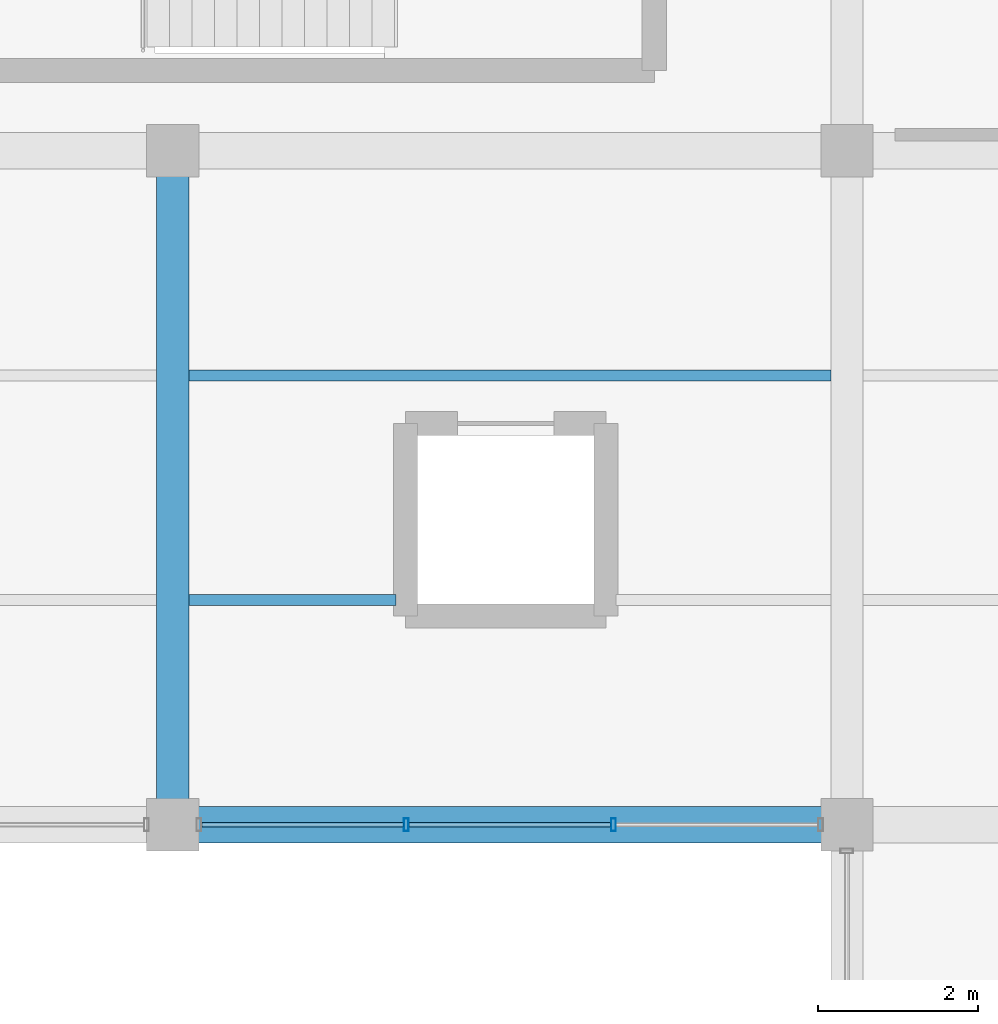
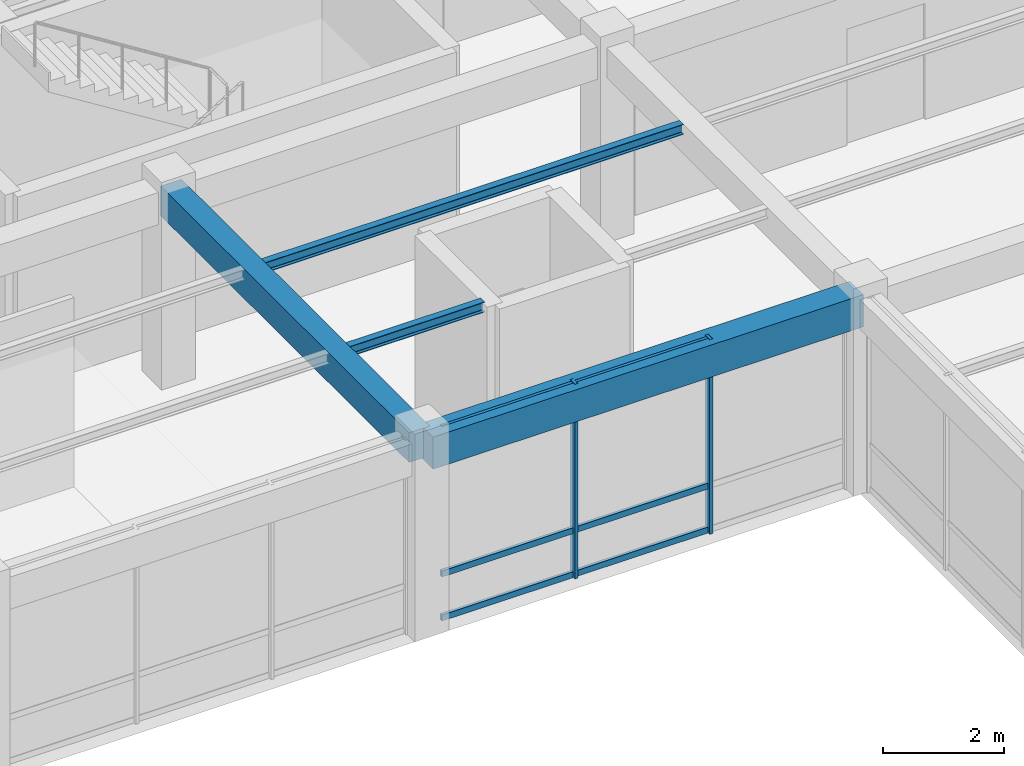
# One storey, part 21 of 138: 8 members, 4 beams, 1 element without a shape of its own.
"""IFC4 building model written with IfcOpenShell, lengths in metres."""

from ifc_helpers import new_model, si_unit, direction, frame, origin, origin_2d, place, context, subcontext, project, spatial, rectangle, hollow_rectangle, i_section, extrude, material, material_profile, profile_set, type_object, element, aggregate, save


model = new_model("IFC4")

# Units and contexts
model_context = context("Model", 3, precision=1e-05, world=origin(), true_north=direction((0.0, 1.0)))
body_context = subcontext(model_context, "Body", "Model", "MODEL_VIEW")
ifc_project = project(units=[si_unit("LENGTHUNIT", "METRE"), si_unit("AREAUNIT", "SQUARE_METRE"), si_unit("VOLUMEUNIT", "CUBIC_METRE"), si_unit("PLANEANGLEUNIT", "RADIAN"), si_unit("MASSUNIT", "GRAM", prefix="KILO"), si_unit("THERMODYNAMICTEMPERATUREUNIT", "KELVIN"), si_unit("POWERUNIT", "WATT")], contexts=[model_context])

# Site, building, storey
site_placement = place(None, origin())
site = spatial("IfcSite", under=ifc_project, at=site_placement, CompositionType="ELEMENT")
building_placement = place(site_placement, origin())
building = spatial("IfcBuilding", under=site, at=building_placement, Name="Darbajah Civic Hall", CompositionType="ELEMENT")
storey_placement = place(building_placement, frame((0.0, 0.0, 9.60009765625)))
storey = spatial("IfcBuildingStorey", under=building, at=storey_placement, Name="L02", CompositionType="ELEMENT", Elevation=9.60009765625)

# Curtain wall, members
ifc_material_1 = material(Name="Anodised Bronze Aluminium and Low-E Glazing", Category="aluminium")
curtain_wall_type = type_object("IfcCurtainWallType", Name="Unitised Curtain Wall CW-99 7700x3950", PredefinedType="USERDEFINED", material=ifc_material_1)
curtain_wall_placement = place(storey_placement, origin())
curtain_wall = element("IfcCurtainWall", 1, at=curtain_wall_placement, inside=storey, type_object=curtain_wall_type, Name="L02 unitised curtain wall CW-V5-L02-S2-B3", ObjectType="UNITISED CURTAIN WALL", PredefinedType="USERDEFINED")
ifc_material_2 = material(Name="Anodised Bronze Aluminium", Category="aluminium")
ifc_material_profile_1 = material_profile(ifc_material_2, hollow_rectangle(XDim=0.06005859375, YDim=0.159912109375, WallThickness=0.00341796875, at=origin_2d()), Name="ALU MULLION 60x160")
ifc_profile_set_1 = profile_set([ifc_material_profile_1], Name="Anodised Bronze Aluminium")
member_type_1 = type_object("IfcMemberType", Name="ALU MULLION 60x160", PredefinedType="MULLION", material=ifc_profile_set_1)
member_1_placement = place(storey_placement, frame((44.908935546875, 16.800048828125, 0.0), z_axis=(0.0, 0.0, 1.0), x_axis=(1.0, 0.0, 0.0)))
member_1 = element("IfcMember", 2, at=member_1_placement, type_object=member_type_1, Name="CW-V5-L02-S2-B3 mullion 2", PredefinedType="MULLION", context=body_context, shape_type="SweptSolid", body=[
    extrude(hollow_rectangle(XDim=0.06005859375, YDim=0.159912109375, WallThickness=0.00341796875, at=origin_2d()), origin(), (0.0, 0.0, 1.0), 3.93994140625),
])
member_2_placement = place(storey_placement, frame((47.490966796875, 16.800048828125, 0.0), z_axis=(0.0, 0.0, 1.0), x_axis=(1.0, 0.0, 0.0)))
member_2 = element("IfcMember", 3, at=member_2_placement, type_object=member_type_1, Name="CW-V5-L02-S2-B3 mullion 3", PredefinedType="MULLION", context=body_context, shape_type="SweptSolid", body=[
    extrude(hollow_rectangle(XDim=0.06005859375, YDim=0.159912109375, WallThickness=0.00341796875, at=origin_2d()), origin(), (0.0, 0.0, 1.0), 3.93994140625),
])
ifc_material_profile_2 = material_profile(ifc_material_2, hollow_rectangle(XDim=0.06005859375, YDim=0.1201171875, WallThickness=0.003173828125, at=origin_2d()), Name="ALU TRANSOM 60x120")
ifc_profile_set_2 = profile_set([ifc_material_profile_2], Name="Anodised Bronze Aluminium")
member_type_2 = type_object("IfcMemberType", Name="ALU TRANSOM 60x120", PredefinedType="USERDEFINED", material=ifc_profile_set_2)
member_3_placement = place(storey_placement, frame((42.362060546875, 16.800048828125, 0.059814453125), z_axis=(1.0, 0.0, 0.0), x_axis=(0.0, 1.0, 0.0)))
member_3 = element("IfcMember", 4, at=member_3_placement, type_object=member_type_2, Name="CW-V5-L02-S2-B3 transom 1.1", ObjectType="TRANSOM", PredefinedType="USERDEFINED", context=body_context, shape_type="SweptSolid", body=[
    extrude(hollow_rectangle(XDim=0.06005859375, YDim=0.1201171875, WallThickness=0.003173828125, at=origin_2d()), origin(), (0.0, 0.0, 1.0), 2.511962890625),
])
member_4_placement = place(storey_placement, frame((42.362060546875, 16.800048828125, 0.949951171875), z_axis=(1.0, 0.0, 0.0), x_axis=(0.0, 1.0, 0.0)))
member_4 = element("IfcMember", 5, at=member_4_placement, type_object=member_type_2, Name="CW-V5-L02-S2-B3 transom 1.2", ObjectType="TRANSOM", PredefinedType="USERDEFINED", context=body_context, shape_type="SweptSolid", body=[
    extrude(hollow_rectangle(XDim=0.06005859375, YDim=0.1201171875, WallThickness=0.003173828125, at=origin_2d()), origin(), (0.0, 0.0, 1.0), 2.511962890625),
])
member_5_placement = place(storey_placement, frame((42.362060546875, 16.800048828125, 3.8798828125), z_axis=(1.0, 0.0, 0.0), x_axis=(0.0, 1.0, 0.0)))
member_5 = element("IfcMember", 6, at=member_5_placement, type_object=member_type_2, Name="CW-V5-L02-S2-B3 transom 1.3", ObjectType="TRANSOM", PredefinedType="USERDEFINED", context=body_context, shape_type="SweptSolid", body=[
    extrude(hollow_rectangle(XDim=0.06005859375, YDim=0.1201171875, WallThickness=0.003173828125, at=origin_2d()), origin(), (0.0, 0.0, 1.0), 2.511962890625),
])
member_6_placement = place(storey_placement, frame((44.944091796875, 16.800048828125, 0.059814453125), z_axis=(1.0, 0.0, 0.0), x_axis=(0.0, 1.0, 0.0)))
member_6 = element("IfcMember", 7, at=member_6_placement, type_object=member_type_2, Name="CW-V5-L02-S2-B3 transom 2.1", ObjectType="TRANSOM", PredefinedType="USERDEFINED", context=body_context, shape_type="SweptSolid", body=[
    extrude(hollow_rectangle(XDim=0.06005859375, YDim=0.1201171875, WallThickness=0.003173828125, at=origin_2d()), origin(), (0.0, 0.0, 1.0), 2.511962890625),
])
member_7_placement = place(storey_placement, frame((44.944091796875, 16.800048828125, 0.949951171875), z_axis=(1.0, 0.0, 0.0), x_axis=(0.0, 1.0, 0.0)))
member_7 = element("IfcMember", 8, at=member_7_placement, type_object=member_type_2, Name="CW-V5-L02-S2-B3 transom 2.2", ObjectType="TRANSOM", PredefinedType="USERDEFINED", context=body_context, shape_type="SweptSolid", body=[
    extrude(hollow_rectangle(XDim=0.06005859375, YDim=0.1201171875, WallThickness=0.003173828125, at=origin_2d()), origin(), (0.0, 0.0, 1.0), 2.511962890625),
])
member_8_placement = place(storey_placement, frame((44.944091796875, 16.800048828125, 3.8798828125), z_axis=(1.0, 0.0, 0.0), x_axis=(0.0, 1.0, 0.0)))
member_8 = element("IfcMember", 9, at=member_8_placement, type_object=member_type_2, Name="CW-V5-L02-S2-B3 transom 2.3", ObjectType="TRANSOM", PredefinedType="USERDEFINED", context=body_context, shape_type="SweptSolid", body=[
    extrude(hollow_rectangle(XDim=0.06005859375, YDim=0.1201171875, WallThickness=0.003173828125, at=origin_2d()), origin(), (0.0, 0.0, 1.0), 2.511962890625),
])
aggregate(curtain_wall, [member_1, member_2, member_3, member_4, member_5, member_6, member_7, member_8])

# Beams
ifc_material_3 = material(Name="Concrete C45/55", Category="concrete")
ifc_material_profile_3 = material_profile(ifc_material_3, rectangle(XDim=0.39990234375, YDim=0.60009765625, at=origin_2d()), Name="RC BEAM 400x600")
ifc_profile_set_3 = profile_set([ifc_material_profile_3], Name="Concrete C45/55")
beam_type_1 = type_object("IfcBeamType", Name="RC BEAM 400x600", PredefinedType="BEAM", material=ifc_profile_set_3)
beam_1_placement = place(storey_placement, frame((42.0, 16.8798828125, 3.639892578125), z_axis=(0.0, 1.0, 0.0), x_axis=(-1.0, 0.0, 0.0)))
element("IfcBeam", 10, at=beam_1_placement, inside=storey, type_object=beam_type_1, Name="L02 beam BM-4060", PredefinedType="BEAM", context=body_context, shape_type="SweptSolid", body=[
    extrude(rectangle(XDim=0.39990234375, YDim=0.60009765625, at=origin_2d()), origin(), (0.0, 0.0, 1.0), 8.240234375),
])
ifc_material_profile_4 = material_profile(ifc_material_3, rectangle(XDim=0.449951171875, YDim=0.64990234375, at=origin_2d()), Name="RC BEAM 450x650")
ifc_profile_set_4 = profile_set([ifc_material_profile_4], Name="Concrete C45/55")
beam_type_2 = type_object("IfcBeamType", Name="RC BEAM 450x650", PredefinedType="BEAM", material=ifc_profile_set_4)
beam_2_placement = place(storey_placement, frame((42.080078125, 16.800048828125, 3.614990234375), z_axis=(1.0, 0.0, 0.0), x_axis=(0.0, 1.0, 0.0)))
element("IfcBeam", 11, at=beam_2_placement, inside=storey, type_object=beam_type_2, Name="L02 beam BM-4565", PredefinedType="BEAM", context=body_context, shape_type="SweptSolid", body=[
    extrude(rectangle(XDim=0.449951171875, YDim=0.64990234375, at=origin_2d()), origin(), (0.0, 0.0, 1.0), 8.239990234375),
])
ifc_material_4 = material(Name="Steel S355JR", Category="steel")
ifc_material_profile_5 = material_profile(ifc_material_4, i_section(OverallWidth=0.1337890625, OverallDepth=0.206787109375, WebThickness=0.00634765625, FlangeThickness=0.009521484375, FilletRadius=0.007568359375, at=origin_2d()), Name="UB 203x133x30")
ifc_profile_set_5 = profile_set([ifc_material_profile_5], Name="Steel S355JR")
beam_type_3 = type_object("IfcBeamType", Name="UB 203x133x30", PredefinedType="JOIST", material=ifc_profile_set_5)
beam_3_placement = place(storey_placement, frame((42.199951171875, 19.60009765625, 3.83642578125), z_axis=(1.0, 0.0, 0.0), x_axis=(0.0, 1.0, 0.0)))
element("IfcBeam", 12, at=beam_3_placement, inside=storey, type_object=beam_type_3, Name="L02 beam SJ-203", PredefinedType="JOIST", context=body_context, shape_type="SweptSolid", body=[
    extrude(i_section(OverallWidth=0.1337890625, OverallDepth=0.206787109375, WebThickness=0.00634765625, FlangeThickness=0.009521484375, FilletRadius=0.007568359375, at=origin_2d()), origin(), (0.0, 0.0, 1.0), 2.580078125),
])
beam_4_placement = place(storey_placement, frame((42.199951171875, 22.39990234375, 3.83642578125), z_axis=(1.0, 0.0, 0.0), x_axis=(0.0, 1.0, 0.0)))
element("IfcBeam", 13, at=beam_4_placement, inside=storey, type_object=beam_type_3, Name="L02 beam SJ-203", PredefinedType="JOIST", context=body_context, shape_type="SweptSolid", body=[
    extrude(i_section(OverallWidth=0.1337890625, OverallDepth=0.206787109375, WebThickness=0.00634765625, FlangeThickness=0.009521484375, FilletRadius=0.007568359375, at=origin_2d()), origin(), (0.0, 0.0, 1.0), 8.0),
])

save(model, "model.ifc")
